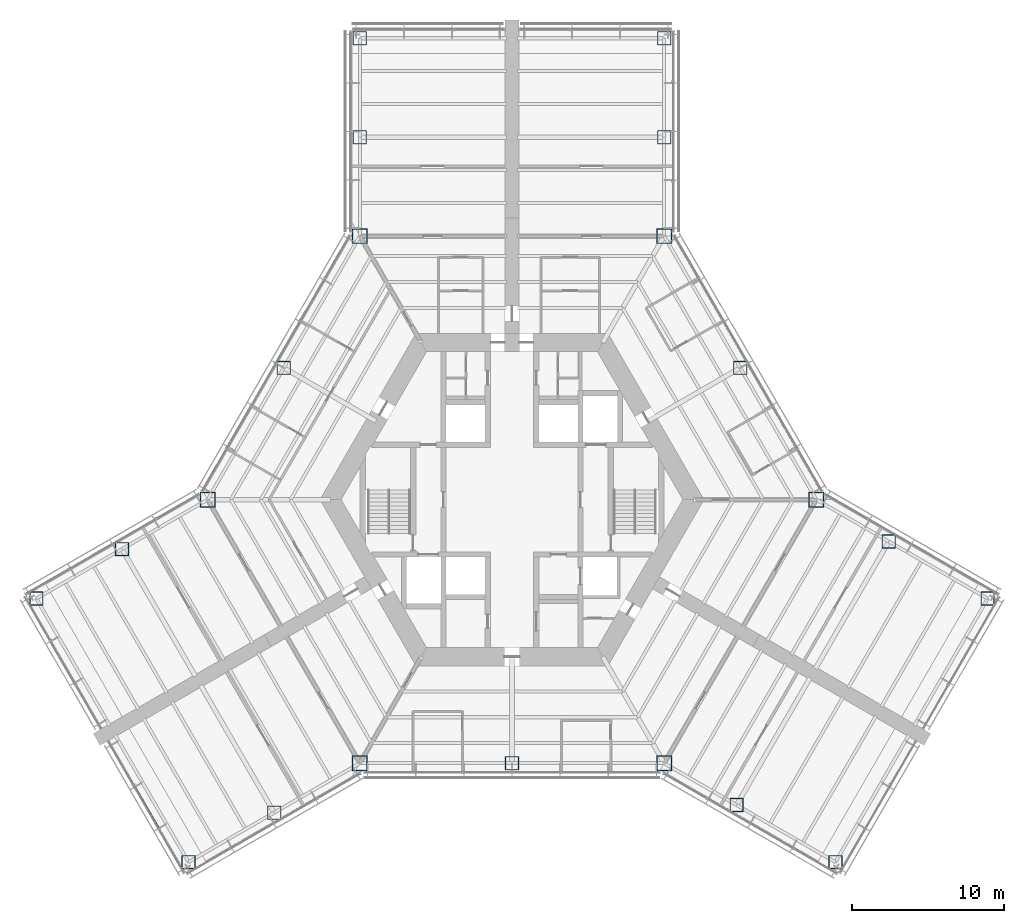
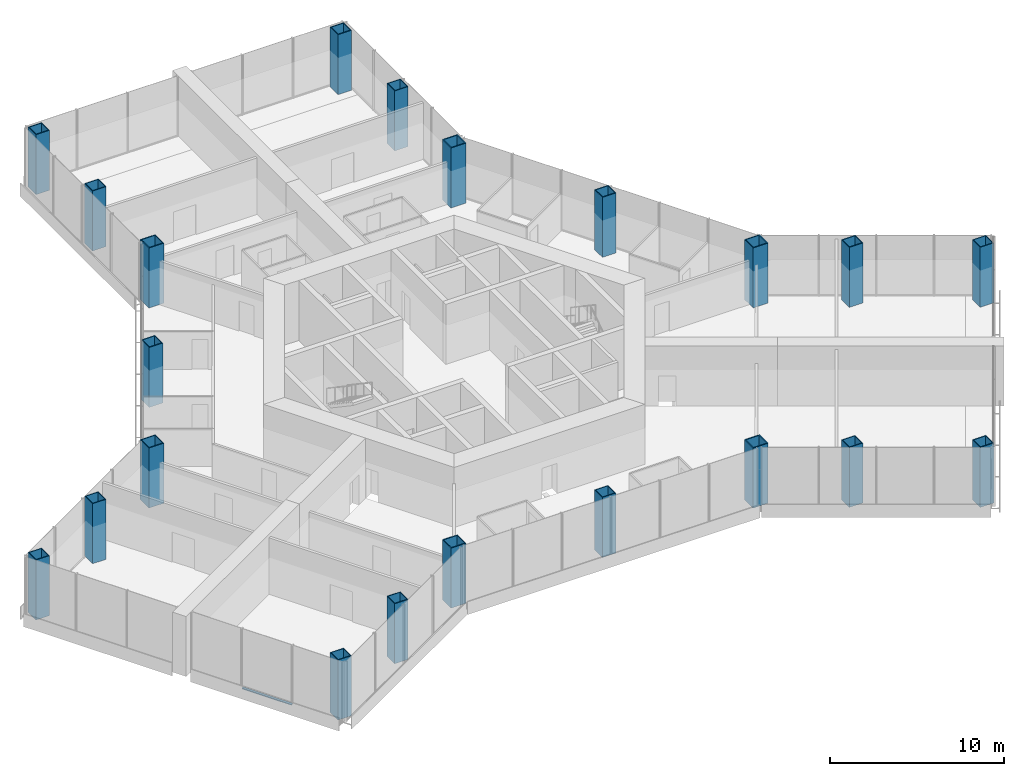
# One storey, part 1 of 17: 21 columns, 1 member, 1 element without a shape of its own.
"""IFC4 building model written with IfcOpenShell, lengths in metres."""

from ifc_helpers import new_model, si_unit, direction, frame, origin, origin_2d, place, context, subcontext, project, spatial, rectangle, hollow_rectangle, extrude, material, material_profile, profile_set, type_object, element, aggregate, save


model = new_model("IFC4")

# Units and contexts
model_context = context("Model", 3, precision=1e-05, world=origin(), true_north=direction((0.0, 1.0)))
body_context = subcontext(model_context, "Body", "Model", "MODEL_VIEW")
ifc_project = project(units=[si_unit("LENGTHUNIT", "METRE"), si_unit("AREAUNIT", "SQUARE_METRE"), si_unit("VOLUMEUNIT", "CUBIC_METRE"), si_unit("PLANEANGLEUNIT", "RADIAN"), si_unit("MASSUNIT", "GRAM", prefix="KILO")], contexts=[model_context])

# Site, building, storey
site_placement = place(None, origin())
site = spatial("IfcSite", under=ifc_project, at=site_placement, CompositionType="ELEMENT")
building_placement = place(site_placement, origin())
building = spatial("IfcBuilding", under=site, at=building_placement, Name="Kasaneha Research Tower", CompositionType="ELEMENT")
storey_placement = place(building_placement, frame((0.0, 0.0, 47.800048828125)))
storey = spatial("IfcBuildingStorey", under=building, at=storey_placement, Name="L12", CompositionType="ELEMENT", Elevation=47.800048828125)

# Columns
ifc_material_1 = material(Name="Steel SN490C", Category="steel")
ifc_material_profile_1 = material_profile(ifc_material_1, hollow_rectangle(XDim=1.0, YDim=1.0, WallThickness=0.06005859375, at=origin_2d()), Name="BOX-1000x1000x60")
ifc_profile_set_1 = profile_set([ifc_material_profile_1], Name="Steel SN490C")
column_type_1 = type_object("IfcColumnType", Name="C1A column BOX-1000x1000x60", PredefinedType="COLUMN", material=ifc_profile_set_1)
for number, where, z_axis, x_axis, name in (
    (1, (20.0, 0.0, 0.0), (0.0, 0.0, 1.0), (1.0, 0.0, 0.0), "Column V0 L12"),
    (2, (10.0, 17.320556640625, 0.0), (0.0, 0.0, 1.0), (1.0, 0.0, 0.0), "Column V1 L12"),
    (3, (-10.0, 17.320556640625, 0.0), (0.0, 0.0, 1.0), (1.0, 0.0, 0.0), "Column V2 L12"),
    (4, (-20.0, 0.0, 0.0), (0.0, 0.0, 1.0), (1.0, 0.0, 0.0), "Column V3 L12"),
    (5, (-10.0, -17.320556640625, 0.0), (0.0, 0.0, 1.0), (1.0, 0.0, 0.0), "Column V4 L12"),
    (6, (10.0, -17.320556640625, 0.0), (0.0, 0.0, 1.0), (1.0, 0.0, 0.0), "Column V5 L12"),
):
    element("IfcColumn", number, at=place(storey_placement, frame(where, z_axis=z_axis, x_axis=x_axis)), inside=storey, type_object=column_type_1, Name=name, PredefinedType="COLUMN", context=body_context, shape_type="SweptSolid", body=[
        extrude(hollow_rectangle(XDim=1.0, YDim=1.0, WallThickness=0.06005859375, at=origin_2d()), origin(), (0.0, 0.0, 1.0), 4.199951171875),
    ])
ifc_material_2 = material(Name="Steel SN490C", Category="steel")
ifc_material_profile_2 = material_profile(ifc_material_2, hollow_rectangle(XDim=0.89990234375, YDim=0.89990234375, WallThickness=0.050048828125, at=origin_2d()), Name="BOX-900x900x50")
ifc_profile_set_2 = profile_set([ifc_material_profile_2], Name="Steel SN490C")
column_type_2 = type_object("IfcColumnType", Name="C1B column BOX-900x900x50", PredefinedType="COLUMN", material=ifc_profile_set_2)
for number, where, z_axis, x_axis, name in (
    (7, (15.0, 8.66015625, 0.0), (0.0, 0.0, 1.0), (1.0, 0.0, 0.0), "Column M030 L12"),
    (8, (-15.0, 8.66015625, 0.0), (0.0, 0.0, 1.0), (1.0, 0.0, 0.0), "Column M150 L12"),
    (9, (0.0, -17.320556640625, 0.0), (0.0, 0.0, 1.0), (1.0, 0.0, 0.0), "Column M270 L12"),
    (10, (10.0, 23.820556640625, 0.0), (0.0, 0.0, 1.0), (1.0, 0.0, 0.0), "Column ASP L12"),
    (11, (10.0, 30.320556640625, 0.0), (0.0, 0.0, 1.0), (1.0, 0.0, 0.0), "Column ATP L12"),
    (12, (-10.0, 23.820556640625, 0.0), (0.0, 0.0, 1.0), (1.0, 0.0, 0.0), "Column ASN L12"),
    (13, (-10.0, 30.320556640625, 0.0), (0.0, 0.0, 1.0), (1.0, 0.0, 0.0), "Column ATN L12"),
    (14, (-25.629150390625, -3.25, 0.0), (0.0, 0.0, 1.0), (1.0, 0.0, 0.0), "Column BSP L12"),
    (15, (-31.25830078125, -6.5, 0.0), (0.0, 0.0, 1.0), (1.0, 0.0, 0.0), "Column BTP L12"),
    (16, (-15.629150390625, -20.570556640625, 0.0), (0.0, 0.0, 1.0), (1.0, 0.0, 0.0), "Column BSN L12"),
    (17, (-21.25830078125, -23.820556640625, 0.0), (0.0, 0.0, 1.0), (1.0, 0.0, 0.0), "Column BTN L12"),
    (18, (14.76318359375, -20.070556640625, 0.0), (0.0, 0.0, 1.0), (1.0, 0.0, 0.0), "Column CSP L12"),
    (19, (21.25830078125, -23.820556640625, 0.0), (0.0, 0.0, 1.0), (1.0, 0.0, 0.0), "Column CTP L12"),
    (20, (24.76318359375, -2.75, 0.0), (0.0, 0.0, 1.0), (1.0, 0.0, 0.0), "Column CSN L12"),
    (21, (31.25830078125, -6.5, 0.0), (0.0, 0.0, 1.0), (1.0, 0.0, 0.0), "Column CTN L12"),
):
    element("IfcColumn", number, at=place(storey_placement, frame(where, z_axis=z_axis, x_axis=x_axis)), inside=storey, type_object=column_type_2, Name=name, PredefinedType="COLUMN", context=body_context, shape_type="SweptSolid", body=[
        extrude(hollow_rectangle(XDim=0.89990234375, YDim=0.89990234375, WallThickness=0.050048828125, at=origin_2d()), origin(), (0.0, 0.0, 1.0), 4.199951171875),
    ])

# Curtain wall, member
ifc_material_3 = material(Name="Glass and aluminium", Category="aluminium")
curtain_wall_type = type_object("IfcCurtainWallType", Name="Dry laboratory curtain wall", PredefinedType="USERDEFINED", material=ifc_material_3)
curtain_wall_placement = place(storey_placement, origin())
curtain_wall = element("IfcCurtainWall", 22, at=curtain_wall_placement, inside=storey, type_object=curtain_wall_type, Name="CW-L2 L12 run 15a", ObjectType="UNITISED CURTAIN WALL", PredefinedType="USERDEFINED")
ifc_material_4 = material(Name="Aluminium 6063-T6", Category="aluminium")
ifc_material_profile_3 = material_profile(ifc_material_4, rectangle(XDim=0.14990234375, YDim=0.06494140625, at=origin_2d()), Name="CW-L2 transom 150x65")
ifc_profile_set_3 = profile_set([ifc_material_profile_3], Name="Aluminium 6063-T6")
member_type = type_object("IfcMemberType", Name="CW-L2 transom", PredefinedType="USERDEFINED", material=ifc_profile_set_3)
member_placement = place(storey_placement, frame((-24.86181640625, -18.779296875, 0.032470703125), z_axis=(0.50000765355, -0.86602098496, 0.0), x_axis=(0.86602098496, 0.50000765355, 0.0)))
member = element("IfcMember", 23, at=member_placement, type_object=member_type, Name="CW-L2 transom 2", ObjectType="TRANSOM", PredefinedType="USERDEFINED", context=body_context, shape_type="SweptSolid", body=[
    extrude(rectangle(XDim=0.14990234375, YDim=0.06494140625, at=origin_2d()), origin(), (0.0, 0.0, 1.0), 3.28515625),
])
aggregate(curtain_wall, [member])

save(model, "model.ifc")
